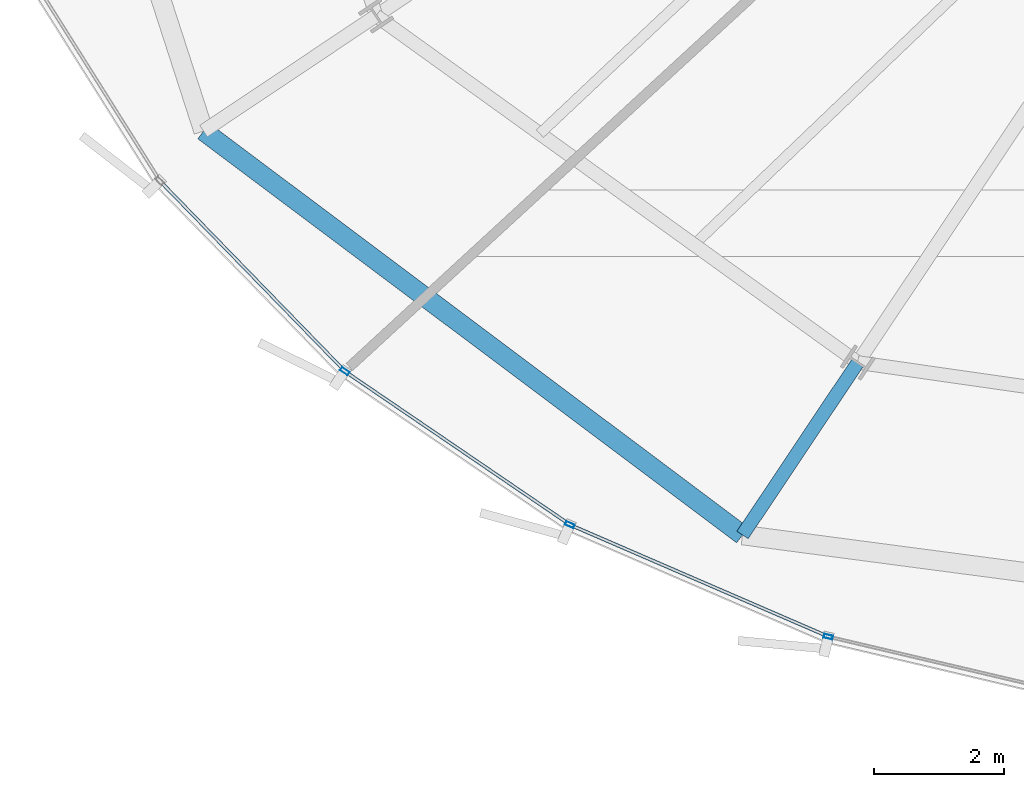
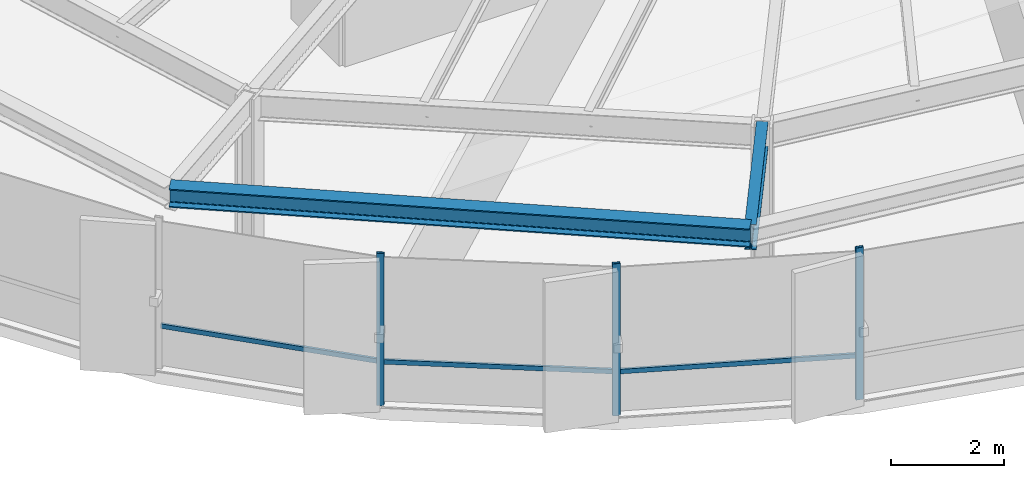
# One storey, part 2 of 35: 6 members, 2 beams, 1 element without a shape of its own.
"""IFC4 building model written with IfcOpenShell, lengths in metres."""

from ifc_helpers import new_model, si_unit, direction, frame, origin, origin_2d, place, context, subcontext, project, spatial, hollow_rectangle, i_section, extrude, source, transform, mapped, material, layer, layer_set, material_profile, profile_set, type_object, element, aggregate, save


model = new_model("IFC4")

# Units and contexts
model_context = context("Model", 3, precision=1e-05, world=origin(), true_north=direction((0.0, 1.0)))
body_context = subcontext(model_context, "Body", "Model", "MODEL_VIEW")
ifc_project = project(units=[si_unit("LENGTHUNIT", "METRE"), si_unit("AREAUNIT", "SQUARE_METRE"), si_unit("VOLUMEUNIT", "CUBIC_METRE"), si_unit("PLANEANGLEUNIT", "RADIAN"), si_unit("MASSUNIT", "GRAM", prefix="KILO"), si_unit("THERMODYNAMICTEMPERATUREUNIT", "KELVIN")], contexts=[model_context])

# Site, building, storey
site_placement = place(None, origin())
site = spatial("IfcSite", under=ifc_project, at=site_placement, CompositionType="ELEMENT")
building_placement = place(site_placement, origin())
building = spatial("IfcBuilding", under=site, at=building_placement, Name="Kethvar Cultural Tower", CompositionType="ELEMENT")
storey_placement = place(building_placement, frame((0.0, 0.0, 139.449951171875)))
storey = spatial("IfcBuildingStorey", under=building, at=storey_placement, Name="L35", CompositionType="ELEMENT", Elevation=139.449951171875)

# Beams
ifc_material_1 = material(Name="Steel S355J2", Category="steel")
ifc_material_profile_1 = material_profile(ifc_material_1, i_section(OverallWidth=0.2099609375, OverallDepth=0.550048828125, WebThickness=0.010986328125, FlangeThickness=0.01708984375, FilletRadius=0.02392578125, at=origin_2d()), Name="Steel S355J2 — IPE550")
ifc_profile_set_1 = profile_set([ifc_material_profile_1], Name="Steel S355J2 — IPE550")
beam_type_1 = type_object("IfcBeamType", Name="BM-IPE550", PredefinedType="BEAM", material=ifc_profile_set_1)
shared_shape_1 = source(origin(), body_context, "Body", "SweptSolid", [
    extrude(i_section(OverallWidth=0.2099609375, OverallDepth=0.550048828125, WebThickness=0.010986328125, FlangeThickness=0.01708984375, FilletRadius=0.02392578125, at=origin_2d()), origin(), (0.0, 0.0, 1.0), 3.199951171875),
])
beam_1_placement = place(storey_placement, frame((34.350830078125, 9.16845703125, 3.02294921875), z_axis=(-0.555580212716, -0.831462943996, 0.0), x_axis=(0.831462943996, -0.555580212716, 0.0)))
element("IfcBeam", 1, at=beam_1_placement, inside=storey, type_object=beam_type_1, Name="L35 Perimeter Cantilever Beam RC-11", PredefinedType="BEAM", context=body_context, shape_type="MappedRepresentation", body=[
    mapped(shared_shape_1, transform((0.0, 0.0, 0.0), scale=1.0)),
])
ifc_material_profile_2 = material_profile(ifc_material_1, i_section(OverallWidth=0.300048828125, OverallDepth=0.39990234375, WebThickness=0.013427734375, FlangeThickness=0.02392578125, FilletRadius=0.027099609375, at=origin_2d()), Name="Steel S355J2 — HEB400")
ifc_profile_set_2 = profile_set([ifc_material_profile_2], Name="Steel S355J2 — HEB400")
beam_type_2 = type_object("IfcBeamType", Name="BM-SP400", PredefinedType="SPANDREL", material=ifc_profile_set_2)
shared_shape_2 = source(origin(), body_context, "Body", "SweptSolid", [
    extrude(i_section(OverallWidth=0.300048828125, OverallDepth=0.39990234375, WebThickness=0.013427734375, FlangeThickness=0.02392578125, FilletRadius=0.027099609375, at=origin_2d()), origin(), (0.0, 0.0, 1.0), 10.38916015625),
])
beam_2_placement = place(storey_placement, frame((24.260009765625, 12.7392578125, 3.09814453125), z_axis=(0.800152249906, -0.599796946449, 0.0), x_axis=(0.599796946449, 0.800152249906, 0.0)))
element("IfcBeam", 2, at=beam_2_placement, inside=storey, type_object=beam_type_2, Name="L35 Perimeter Spandrel Beam SP-10", PredefinedType="SPANDREL", context=body_context, shape_type="MappedRepresentation", body=[
    mapped(shared_shape_2, transform((0.0, 0.0, 0.0), scale=1.0)),
])

# Curtain wall, members
ifc_material_2 = material(Name="Aluminium 6063-T6", Category="aluminium")
ifc_layer = layer(ifc_material_2, 0.179931640625, Name="Aluminium 6063-T6", Category="aluminium")
ifc_layer_set = layer_set([ifc_layer], Name="Aluminium 6063-T6 (180 mm)")
curtain_wall_type = type_object("IfcCurtainWallType", Name="CW-SYS-04-Z34", PredefinedType="NOTDEFINED", material=ifc_layer_set)
curtain_wall_placement = place(storey_placement, origin())
curtain_wall = element("IfcCurtainWall", 3, at=curtain_wall_placement, inside=storey, type_object=curtain_wall_type, Name="L35 Curtain Wall Run 04", PredefinedType="NOTDEFINED")
ifc_material_profile_3 = material_profile(ifc_material_2, hollow_rectangle(XDim=0.06005859375, YDim=0.139892578125, WallThickness=0.0048828125, at=origin_2d()), Name="Aluminium 6063-T6 — RHS140x60x5")
ifc_profile_set_3 = profile_set([ifc_material_profile_3], Name="Aluminium 6063-T6 — RHS140x60x5")
member_type_1 = type_object("IfcMemberType", Name="CW-SYS-04-Z34-MUL", PredefinedType="MULLION", material=ifc_profile_set_3)
shared_shape_3 = source(origin(), body_context, "Body", "SweptSolid", [
    extrude(hollow_rectangle(XDim=0.06005859375, YDim=0.139892578125, WallThickness=0.0048828125, at=origin_2d()), origin(), (0.0, 0.0, 1.0), 3.300048828125),
])
member_1_placement = place(storey_placement, frame((26.4375, 9.03466796875, 0.0), z_axis=(0.0, 0.0, 1.0), x_axis=(0.563064580746, 0.826412897957, 0.0)))
member_1 = element("IfcMember", 4, at=member_1_placement, type_object=member_type_1, Name="CW-L35-R04 Mullion 3", PredefinedType="MULLION", context=body_context, shape_type="MappedRepresentation", body=[
    mapped(shared_shape_3, transform((0.0, 0.0, 0.0), scale=1.0)),
])
member_2_placement = place(storey_placement, frame((29.90966796875, 6.666748046875, 0.0), z_axis=(0.0, 0.0, 1.0), x_axis=(0.397115854713, 0.917768488201, 0.0)))
member_2 = element("IfcMember", 5, at=member_2_placement, type_object=member_type_1, Name="CW-L35-R04 Mullion 4", PredefinedType="MULLION", context=body_context, shape_type="MappedRepresentation", body=[
    mapped(shared_shape_3, transform((0.0, 0.0, 0.0), scale=1.0)),
])
member_3_placement = place(storey_placement, frame((33.89599609375, 4.93994140625, 0.0), z_axis=(0.0, 0.0, 1.0), x_axis=(0.229081468502, 0.973407253306, 0.0)))
member_3 = element("IfcMember", 6, at=member_3_placement, type_object=member_type_1, Name="CW-L35-R04 Mullion 5", PredefinedType="MULLION", context=body_context, shape_type="MappedRepresentation", body=[
    mapped(shared_shape_3, transform((0.0, 0.0, 0.0), scale=1.0)),
])
ifc_material_profile_4 = material_profile(ifc_material_2, hollow_rectangle(XDim=0.050048828125, YDim=0.10009765625, WallThickness=0.00390625, at=origin_2d()), Name="Aluminium 6063-T6 — RHS100x50x4")
ifc_profile_set_4 = profile_set([ifc_material_profile_4], Name="Aluminium 6063-T6 — RHS100x50x4")
member_type_2 = type_object("IfcMemberType", Name="CW-SYS-04-Z34-TRN", PredefinedType="USERDEFINED", material=ifc_profile_set_4)
shared_shape_4 = source(origin(), body_context, "Body", "SweptSolid", [
    extrude(hollow_rectangle(XDim=0.050048828125, YDim=0.10009765625, WallThickness=0.00390625, at=origin_2d()), origin(), (0.0, 0.0, 1.0), 4.27734375),
])
member_4_placement = place(storey_placement, frame((29.94921875, 6.6494140625, 0.949951171875), z_axis=(0.917775525162, -0.397099591303, 0.0), x_axis=(0.397099591303, 0.917775525162, 0.0)))
member_4 = element("IfcMember", 7, at=member_4_placement, type_object=member_type_2, Name="CW-L35-R04 Transom 4", ObjectType="TRANSOM", PredefinedType="USERDEFINED", context=body_context, shape_type="MappedRepresentation", body=[
    mapped(shared_shape_4, transform((0.0, 0.0, 0.0), scale=1.0)),
])
shared_shape_5 = source(origin(), body_context, "Body", "SweptSolid", [
    extrude(hollow_rectangle(XDim=0.050048828125, YDim=0.10009765625, WallThickness=0.00390625, at=origin_2d()), origin(), (0.0, 0.0, 1.0), 4.13720703125),
])
member_5_placement = place(storey_placement, frame((26.47314453125, 9.010498046875, 0.949951171875), z_axis=(0.826397098603, -0.563087768843, 0.0), x_axis=(0.563087768843, 0.826397098603, 0.0)))
member_5 = element("IfcMember", 8, at=member_5_placement, type_object=member_type_2, Name="CW-L35-R04 Transom 3", ObjectType="TRANSOM", PredefinedType="USERDEFINED", context=body_context, shape_type="MappedRepresentation", body=[
    mapped(shared_shape_5, transform((0.0, 0.0, 0.0), scale=1.0)),
])
shared_shape_6 = source(origin(), body_context, "Body", "SweptSolid", [
    extrude(hollow_rectangle(XDim=0.050048828125, YDim=0.10009765625, WallThickness=0.00390625, at=origin_2d()), origin(), (0.0, 0.0, 1.0), 4.02978515625),
])
member_6_placement = place(storey_placement, frame((23.61474609375, 11.9404296875, 0.949951171875), z_axis=(0.697193447063, -0.716883043022, 0.0), x_axis=(0.716883043022, 0.697193447063, 0.0)))
member_6 = element("IfcMember", 9, at=member_6_placement, type_object=member_type_2, Name="CW-L35-R04 Transom 2", ObjectType="TRANSOM", PredefinedType="USERDEFINED", context=body_context, shape_type="MappedRepresentation", body=[
    mapped(shared_shape_6, transform((0.0, 0.0, 0.0), scale=1.0)),
])
aggregate(curtain_wall, [member_1, member_2, member_3, member_6, member_5, member_4])

save(model, "model.ifc")
